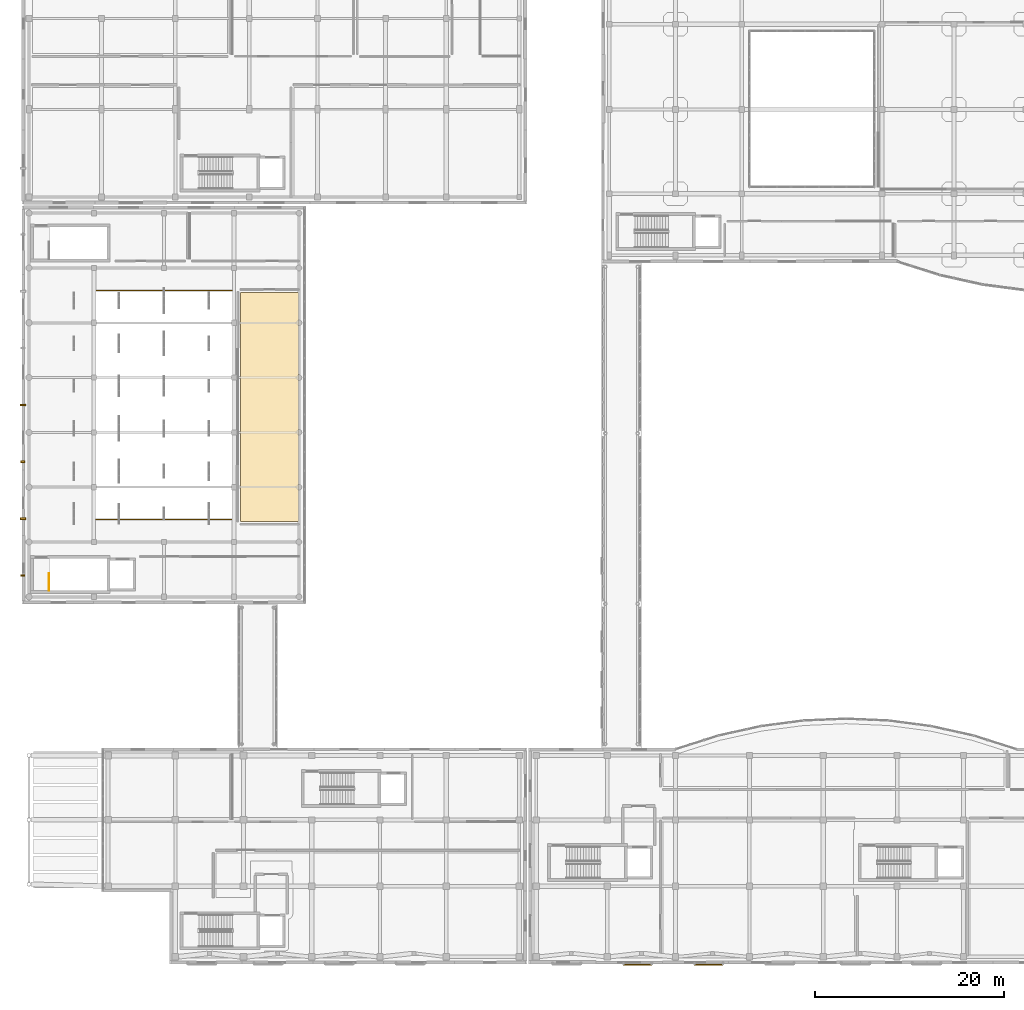
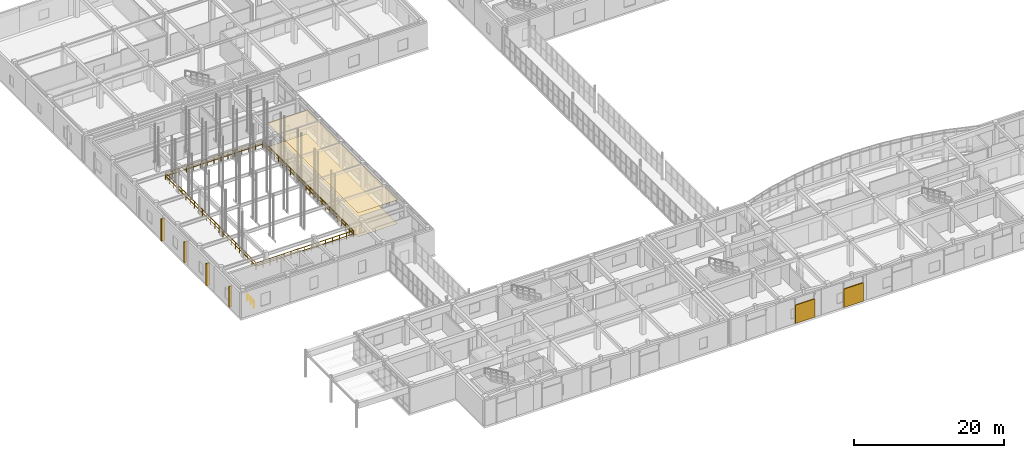
# One storey, part 135 of 142: 6 shading devices, 3 railings, 2 coverings.
"""IFC4 building model written with IfcOpenShell, lengths in metres."""

from ifc_helpers import new_model, si_unit, direction, frame, origin, origin_2d, place, context, subcontext, project, spatial, polyline, rectangle, circle, outline, extrude, material, layer, layer_set, type_object, element, save


model = new_model("IFC4")

# Units and contexts
model_context = context("Model", 3, precision=1e-05, world=origin(), true_north=direction((0.0, 1.0)))
body_context = subcontext(model_context, "Body", "Model", "MODEL_VIEW")
ifc_project = project(units=[si_unit("LENGTHUNIT", "METRE"), si_unit("AREAUNIT", "SQUARE_METRE"), si_unit("VOLUMEUNIT", "CUBIC_METRE"), si_unit("PLANEANGLEUNIT", "RADIAN"), si_unit("MASSUNIT", "GRAM", prefix="KILO")], contexts=[model_context])

# Site, building, storey
site_placement = place(None, origin())
site = spatial("IfcSite", under=ifc_project, at=site_placement, CompositionType="ELEMENT")
building_placement = place(site_placement, origin())
building = spatial("IfcBuilding", under=site, at=building_placement, Name="Valcora Specialist Clinic", CompositionType="ELEMENT")
storey_placement = place(building_placement, frame((0.0, 0.0, 5.10009765625)))
storey = spatial("IfcBuildingStorey", under=building, at=storey_placement, Name="L01", CompositionType="ELEMENT", Elevation=5.10009765625)

# Coverings
ifc_material_1 = material(Name="Acoustic Mineral Ceiling Tile")
ifc_layer_1 = layer(ifc_material_1, 0.02001953125)
ifc_layer_set_1 = layer_set([ifc_layer_1], Name="Acoustic Mineral Ceiling Tile")
covering_type_1 = type_object("IfcCoveringType", Name="TY-CV-CLG020", PredefinedType="CEILING", material=ifc_layer_set_1)
covering_1_placement = place(storey_placement, frame((0.0, 0.0, 3.864990234375)))
element("IfcCovering", 1, at=covering_1_placement, inside=storey, type_object=covering_type_1, Name="Acoustic ceiling tile 7", PredefinedType="CEILING", context=body_context, shape_type="SweptSolid", body=[
    extrude(outline(polyline([(23.10009765625, 70.89990234375), (29.199951171875, 70.89990234375), (29.199951171875, 46.699951171875), (23.10009765625, 46.699951171875), (23.10009765625, 70.89990234375)])), origin(), (0.0, 0.0, 1.0), 0.02001953125),
])
ifc_material_2 = material(Name="Antimicrobial Vinyl Clinical Flooring")
ifc_layer_2 = layer(ifc_material_2, 0.008056640625)
ifc_layer_set_2 = layer_set([ifc_layer_2], Name="Antimicrobial Vinyl Clinical Flooring")
covering_type_2 = type_object("IfcCoveringType", Name="TY-CV-FLR008", PredefinedType="FLOORING", material=ifc_layer_set_2)
covering_2_placement = place(storey_placement, origin())
element("IfcCovering", 2, at=covering_2_placement, inside=storey, type_object=covering_type_2, Name="Antimicrobial clinical flooring 7", PredefinedType="FLOORING", context=body_context, shape_type="SweptSolid", body=[
    extrude(outline(polyline([(23.10009765625, 70.89990234375), (29.199951171875, 70.89990234375), (29.199951171875, 46.699951171875), (23.10009765625, 46.699951171875), (23.10009765625, 70.89990234375)])), origin(), (0.0, 0.0, 1.0), 0.0078125),
])

# Railings
ifc_material_3 = material(Name="Stainless Steel AISI 316", Category="steel")
railing_type_1 = type_object("IfcRailingType", Name="TY-RL-ATR112", PredefinedType="BALUSTRADE", material=ifc_material_3)
railing_1_placement = place(storey_placement, frame((7.5, 46.89990234375, 0.0)))
element("IfcRailing", 3, at=railing_1_placement, inside=storey, type_object=railing_type_1, Name="Oncology hall mezzanine atrium balustrade SE", PredefinedType="BALUSTRADE", context=body_context, shape_type="SweptSolid", body=[
    extrude(circle(Radius=0.02392578125, at=origin_2d()), frame((0.0, 0.0, 1.09619140625), z_axis=(1.0, 0.0, 0.0), x_axis=(0.0, 1.0, 0.0)), (0.0, 0.0, 1.0), 15.0),
    extrude(circle(Radius=0.02392578125, at=origin_2d()), frame((0.0, 0.0, 0.56005859375), z_axis=(1.0, 0.0, 0.0), x_axis=(0.0, 1.0, 0.0)), (0.0, 0.0, 1.0), 15.0),
    extrude(circle(Radius=0.02392578125, at=origin_2d()), frame((15.0, 0.0, 1.09619140625), z_axis=(0.0, 1.0, 0.0), x_axis=(-1.0, 0.0, 0.0)), (0.0, 0.0, 1.0), 24.2001953125),
    extrude(circle(Radius=0.02392578125, at=origin_2d()), frame((15.0, 0.0, 0.56005859375), z_axis=(0.0, 1.0, 0.0), x_axis=(-1.0, 0.0, 0.0)), (0.0, 0.0, 1.0), 24.2001953125),
    extrude(circle(Radius=0.02099609375, at=origin_2d()), origin(), (0.0, 0.0, 1.0), 1.072021484375),
    extrude(circle(Radius=0.02099609375, at=origin_2d()), frame((1.071533203125, 0.0, 0.0)), (0.0, 0.0, 1.0), 1.072021484375),
    extrude(circle(Radius=0.02099609375, at=origin_2d()), frame((2.142822265625, 0.0, 0.0)), (0.0, 0.0, 1.0), 1.072021484375),
    extrude(circle(Radius=0.02099609375, at=origin_2d()), frame((3.21435546875, 0.0, 0.0)), (0.0, 0.0, 1.0), 1.072021484375),
    extrude(circle(Radius=0.02099609375, at=origin_2d()), frame((4.28564453125, 0.0, 0.0)), (0.0, 0.0, 1.0), 1.072021484375),
    extrude(circle(Radius=0.02099609375, at=origin_2d()), frame((5.357177734375, 0.0, 0.0)), (0.0, 0.0, 1.0), 1.072021484375),
    extrude(circle(Radius=0.02099609375, at=origin_2d()), frame((6.428466796875, 0.0, 0.0)), (0.0, 0.0, 1.0), 1.072021484375),
    extrude(circle(Radius=0.02099609375, at=origin_2d()), frame((7.5, 0.0, 0.0)), (0.0, 0.0, 1.0), 1.072021484375),
    extrude(circle(Radius=0.02099609375, at=origin_2d()), frame((8.571533203125, 0.0, 0.0)), (0.0, 0.0, 1.0), 1.072021484375),
    extrude(circle(Radius=0.02099609375, at=origin_2d()), frame((9.642822265625, 0.0, 0.0)), (0.0, 0.0, 1.0), 1.072021484375),
    extrude(circle(Radius=0.02099609375, at=origin_2d()), frame((10.71435546875, 0.0, 0.0)), (0.0, 0.0, 1.0), 1.072021484375),
    extrude(circle(Radius=0.02099609375, at=origin_2d()), frame((11.78564453125, 0.0, 0.0)), (0.0, 0.0, 1.0), 1.072021484375),
    extrude(circle(Radius=0.02099609375, at=origin_2d()), frame((12.857177734375, 0.0, 0.0)), (0.0, 0.0, 1.0), 1.072021484375),
    extrude(circle(Radius=0.02099609375, at=origin_2d()), frame((13.928466796875, 0.0, 0.0)), (0.0, 0.0, 1.0), 1.072021484375),
    extrude(circle(Radius=0.02099609375, at=origin_2d()), frame((15.0, 0.0, 0.0)), (0.0, 0.0, 1.0), 1.072021484375),
    extrude(circle(Radius=0.02099609375, at=origin_2d()), frame((15.0, 1.05224609375, 0.0)), (0.0, 0.0, 1.0), 1.072021484375),
    extrude(circle(Radius=0.02099609375, at=origin_2d()), frame((15.0, 2.104248046875, 0.0)), (0.0, 0.0, 1.0), 1.072021484375),
    extrude(circle(Radius=0.02099609375, at=origin_2d()), frame((15.0, 3.156494140625, 0.0)), (0.0, 0.0, 1.0), 1.072021484375),
    extrude(circle(Radius=0.02099609375, at=origin_2d()), frame((15.0, 4.208740234375, 0.0)), (0.0, 0.0, 1.0), 1.072021484375),
    extrude(circle(Radius=0.02099609375, at=origin_2d()), frame((15.0, 5.260986328125, 0.0)), (0.0, 0.0, 1.0), 1.072021484375),
    extrude(circle(Radius=0.02099609375, at=origin_2d()), frame((15.0, 6.31298828125, 0.0)), (0.0, 0.0, 1.0), 1.072021484375),
    extrude(circle(Radius=0.02099609375, at=origin_2d()), frame((15.0, 7.365234375, 0.0)), (0.0, 0.0, 1.0), 1.072021484375),
    extrude(circle(Radius=0.02099609375, at=origin_2d()), frame((15.0, 8.41748046875, 0.0)), (0.0, 0.0, 1.0), 1.072021484375),
    extrude(circle(Radius=0.02099609375, at=origin_2d()), frame((15.0, 9.4697265625, 0.0)), (0.0, 0.0, 1.0), 1.072021484375),
    extrude(circle(Radius=0.02099609375, at=origin_2d()), frame((15.0, 10.521728515625, 0.0)), (0.0, 0.0, 1.0), 1.072021484375),
    extrude(circle(Radius=0.02099609375, at=origin_2d()), frame((15.0, 11.573974609375, 0.0)), (0.0, 0.0, 1.0), 1.072021484375),
    extrude(circle(Radius=0.02099609375, at=origin_2d()), frame((15.0, 12.626220703125, 0.0)), (0.0, 0.0, 1.0), 1.072021484375),
    extrude(circle(Radius=0.02099609375, at=origin_2d()), frame((15.0, 13.678466796875, 0.0)), (0.0, 0.0, 1.0), 1.072021484375),
    extrude(circle(Radius=0.02099609375, at=origin_2d()), frame((15.0, 14.73046875, 0.0)), (0.0, 0.0, 1.0), 1.072021484375),
    extrude(circle(Radius=0.02099609375, at=origin_2d()), frame((15.0, 15.78271484375, 0.0)), (0.0, 0.0, 1.0), 1.072021484375),
    extrude(circle(Radius=0.02099609375, at=origin_2d()), frame((15.0, 16.8349609375, 0.0)), (0.0, 0.0, 1.0), 1.072021484375),
    extrude(circle(Radius=0.02099609375, at=origin_2d()), frame((15.0, 17.88720703125, 0.0)), (0.0, 0.0, 1.0), 1.072021484375),
    extrude(circle(Radius=0.02099609375, at=origin_2d()), frame((15.0, 18.939208984375, 0.0)), (0.0, 0.0, 1.0), 1.072021484375),
    extrude(circle(Radius=0.02099609375, at=origin_2d()), frame((15.0, 19.991455078125, 0.0)), (0.0, 0.0, 1.0), 1.072021484375),
    extrude(circle(Radius=0.02099609375, at=origin_2d()), frame((15.0, 21.043701171875, 0.0)), (0.0, 0.0, 1.0), 1.072021484375),
    extrude(circle(Radius=0.02099609375, at=origin_2d()), frame((15.0, 22.095947265625, 0.0)), (0.0, 0.0, 1.0), 1.072021484375),
    extrude(circle(Radius=0.02099609375, at=origin_2d()), frame((15.0, 23.14794921875, 0.0)), (0.0, 0.0, 1.0), 1.072021484375),
    extrude(circle(Radius=0.02099609375, at=origin_2d()), frame((15.0, 24.2001953125, 0.0)), (0.0, 0.0, 1.0), 1.072021484375),
])
railing_2_placement = place(storey_placement, frame((22.4599609375, 71.10009765625, 0.0)))
element("IfcRailing", 4, at=railing_2_placement, inside=storey, type_object=railing_type_1, Name="Oncology hall mezzanine atrium balustrade NW", PredefinedType="BALUSTRADE", context=body_context, shape_type="SweptSolid", body=[
    extrude(circle(Radius=0.02392578125, at=origin_2d()), frame((0.0, 0.0, 1.09619140625), z_axis=(-1.0, 0.0, 0.0), x_axis=(0.0, -1.0, 0.0)), (0.0, 0.0, 1.0), 14.9599609375),
    extrude(circle(Radius=0.02392578125, at=origin_2d()), frame((0.0, 0.0, 0.56005859375), z_axis=(-1.0, 0.0, 0.0), x_axis=(0.0, -1.0, 0.0)), (0.0, 0.0, 1.0), 14.9599609375),
    extrude(circle(Radius=0.02392578125, at=origin_2d()), frame((-14.9599609375, 0.0, 1.09619140625), z_axis=(0.0, -1.0, 0.0), x_axis=(1.0, 0.0, 0.0)), (0.0, 0.0, 1.0), 24.16015625),
    extrude(circle(Radius=0.02392578125, at=origin_2d()), frame((-14.9599609375, 0.0, 0.56005859375), z_axis=(0.0, -1.0, 0.0), x_axis=(1.0, 0.0, 0.0)), (0.0, 0.0, 1.0), 24.16015625),
    extrude(circle(Radius=0.02099609375, at=origin_2d()), origin(), (0.0, 0.0, 1.0), 1.072021484375),
    extrude(circle(Radius=0.02099609375, at=origin_2d()), frame((-1.068603515625, 0.0, 0.0)), (0.0, 0.0, 1.0), 1.072021484375),
    extrude(circle(Radius=0.02099609375, at=origin_2d()), frame((-2.13720703125, 0.0, 0.0)), (0.0, 0.0, 1.0), 1.072021484375),
    extrude(circle(Radius=0.02099609375, at=origin_2d()), frame((-3.205810546875, 0.0, 0.0)), (0.0, 0.0, 1.0), 1.072021484375),
    extrude(circle(Radius=0.02099609375, at=origin_2d()), frame((-4.274169921875, 0.0, 0.0)), (0.0, 0.0, 1.0), 1.072021484375),
    extrude(circle(Radius=0.02099609375, at=origin_2d()), frame((-5.3427734375, 0.0, 0.0)), (0.0, 0.0, 1.0), 1.072021484375),
    extrude(circle(Radius=0.02099609375, at=origin_2d()), frame((-6.411376953125, 0.0, 0.0)), (0.0, 0.0, 1.0), 1.072021484375),
    extrude(circle(Radius=0.02099609375, at=origin_2d()), frame((-7.47998046875, 0.0, 0.0)), (0.0, 0.0, 1.0), 1.072021484375),
    extrude(circle(Radius=0.02099609375, at=origin_2d()), frame((-8.548583984375, 0.0, 0.0)), (0.0, 0.0, 1.0), 1.072021484375),
    extrude(circle(Radius=0.02099609375, at=origin_2d()), frame((-9.6171875, 0.0, 0.0)), (0.0, 0.0, 1.0), 1.072021484375),
    extrude(circle(Radius=0.02099609375, at=origin_2d()), frame((-10.685791015625, 0.0, 0.0)), (0.0, 0.0, 1.0), 1.072021484375),
    extrude(circle(Radius=0.02099609375, at=origin_2d()), frame((-11.754150390625, 0.0, 0.0)), (0.0, 0.0, 1.0), 1.072021484375),
    extrude(circle(Radius=0.02099609375, at=origin_2d()), frame((-12.82275390625, 0.0, 0.0)), (0.0, 0.0, 1.0), 1.072021484375),
    extrude(circle(Radius=0.02099609375, at=origin_2d()), frame((-13.891357421875, 0.0, 0.0)), (0.0, 0.0, 1.0), 1.072021484375),
    extrude(circle(Radius=0.02099609375, at=origin_2d()), frame((-14.9599609375, 0.0, 0.0)), (0.0, 0.0, 1.0), 1.072021484375),
    extrude(circle(Radius=0.02099609375, at=origin_2d()), frame((-14.9599609375, -1.09814453125, 0.0)), (0.0, 0.0, 1.0), 1.072021484375),
    extrude(circle(Radius=0.02099609375, at=origin_2d()), frame((-14.9599609375, -2.1962890625, 0.0)), (0.0, 0.0, 1.0), 1.072021484375),
    extrude(circle(Radius=0.02099609375, at=origin_2d()), frame((-14.9599609375, -3.294677734375, 0.0)), (0.0, 0.0, 1.0), 1.072021484375),
    extrude(circle(Radius=0.02099609375, at=origin_2d()), frame((-14.9599609375, -4.392822265625, 0.0)), (0.0, 0.0, 1.0), 1.072021484375),
    extrude(circle(Radius=0.02099609375, at=origin_2d()), frame((-14.9599609375, -5.490966796875, 0.0)), (0.0, 0.0, 1.0), 1.072021484375),
    extrude(circle(Radius=0.02099609375, at=origin_2d()), frame((-14.9599609375, -6.589111328125, 0.0)), (0.0, 0.0, 1.0), 1.072021484375),
    extrude(circle(Radius=0.02099609375, at=origin_2d()), frame((-14.9599609375, -7.687255859375, 0.0)), (0.0, 0.0, 1.0), 1.072021484375),
    extrude(circle(Radius=0.02099609375, at=origin_2d()), frame((-14.9599609375, -8.785400390625, 0.0)), (0.0, 0.0, 1.0), 1.072021484375),
    extrude(circle(Radius=0.02099609375, at=origin_2d()), frame((-14.9599609375, -9.8837890625, 0.0)), (0.0, 0.0, 1.0), 1.072021484375),
    extrude(circle(Radius=0.02099609375, at=origin_2d()), frame((-14.9599609375, -10.98193359375, 0.0)), (0.0, 0.0, 1.0), 1.072021484375),
    extrude(circle(Radius=0.02099609375, at=origin_2d()), frame((-14.9599609375, -12.080078125, 0.0)), (0.0, 0.0, 1.0), 1.072021484375),
    extrude(circle(Radius=0.02099609375, at=origin_2d()), frame((-14.9599609375, -13.17822265625, 0.0)), (0.0, 0.0, 1.0), 1.072021484375),
    extrude(circle(Radius=0.02099609375, at=origin_2d()), frame((-14.9599609375, -14.2763671875, 0.0)), (0.0, 0.0, 1.0), 1.072021484375),
    extrude(circle(Radius=0.02099609375, at=origin_2d()), frame((-14.9599609375, -15.374755859375, 0.0)), (0.0, 0.0, 1.0), 1.072021484375),
    extrude(circle(Radius=0.02099609375, at=origin_2d()), frame((-14.9599609375, -16.472900390625, 0.0)), (0.0, 0.0, 1.0), 1.072021484375),
    extrude(circle(Radius=0.02099609375, at=origin_2d()), frame((-14.9599609375, -17.571044921875, 0.0)), (0.0, 0.0, 1.0), 1.072021484375),
    extrude(circle(Radius=0.02099609375, at=origin_2d()), frame((-14.9599609375, -18.669189453125, 0.0)), (0.0, 0.0, 1.0), 1.072021484375),
    extrude(circle(Radius=0.02099609375, at=origin_2d()), frame((-14.9599609375, -19.767333984375, 0.0)), (0.0, 0.0, 1.0), 1.072021484375),
    extrude(circle(Radius=0.02099609375, at=origin_2d()), frame((-14.9599609375, -20.865478515625, 0.0)), (0.0, 0.0, 1.0), 1.072021484375),
    extrude(circle(Radius=0.02099609375, at=origin_2d()), frame((-14.9599609375, -21.9638671875, 0.0)), (0.0, 0.0, 1.0), 1.072021484375),
    extrude(circle(Radius=0.02099609375, at=origin_2d()), frame((-14.9599609375, -23.06201171875, 0.0)), (0.0, 0.0, 1.0), 1.072021484375),
    extrude(circle(Radius=0.02099609375, at=origin_2d()), frame((-14.9599609375, -24.16015625, 0.0)), (0.0, 0.0, 1.0), 1.072021484375),
])
railing_type_2 = type_object("IfcRailingType", Name="TY-RL-GRD112", PredefinedType="GUARDRAIL", material=ifc_material_3)
railing_3_placement = place(storey_placement, frame((2.85009765625, 39.39990234375, 0.0)))
element("IfcRailing", 5, at=railing_3_placement, inside=storey, type_object=railing_type_2, Name="L01 ST-V1A top well guard 1", PredefinedType="GUARDRAIL", context=body_context, shape_type="SweptSolid", body=[
    extrude(circle(Radius=0.02392578125, at=origin_2d()), frame((0.0, 0.0, 1.09619140625), z_axis=(0.0, 1.0, 0.0), x_axis=(-1.0, 0.0, 0.0)), (0.0, 0.0, 1.0), 1.800048828125),
    extrude(circle(Radius=0.02392578125, at=origin_2d()), frame((0.0, 0.0, 0.56005859375), z_axis=(0.0, 1.0, 0.0), x_axis=(-1.0, 0.0, 0.0)), (0.0, 0.0, 1.0), 1.800048828125),
    extrude(circle(Radius=0.02099609375, at=origin_2d()), origin(), (0.0, 0.0, 1.0), 1.072021484375),
    extrude(circle(Radius=0.02099609375, at=origin_2d()), frame((0.0, 0.89990234375, 0.0)), (0.0, 0.0, 1.0), 1.072021484375),
    extrude(circle(Radius=0.02099609375, at=origin_2d()), frame((0.0, 1.800048828125, 0.0)), (0.0, 0.0, 1.0), 1.072021484375),
])

# Shading devices
ifc_material_4 = material(Name="Extruded Jalisco Clay Brick Masonry", Category="masonry")
ifc_layer_3 = layer(ifc_material_4, 0.449951171875)
ifc_layer_set_3 = layer_set([ifc_layer_3], Name="Extruded Jalisco Clay Brick Masonry")
shading_device_type_1 = type_object("IfcShadingDeviceType", Name="TY-SD-FIN045", PredefinedType="USERDEFINED", material=ifc_layer_set_3)
for number, where, z_axis, x_axis, name in (
    (6, (0.10009765625, 41.0, 0.099853515625), (0.0, 0.0, 1.0), (1.0, 0.0, 0.0), "Vertical brick solar fin 31"),
    (7, (0.10009765625, 53.0, 0.099853515625), (0.0, 0.0, 1.0), (1.0, 0.0, 0.0), "Vertical brick solar fin 33"),
):
    element("IfcShadingDevice", number, at=place(storey_placement, frame(where, z_axis=z_axis, x_axis=x_axis)), inside=storey, type_object=shading_device_type_1, Name=name, ObjectType="VERTICAL BRICK FIN", PredefinedType="USERDEFINED", context=body_context, shape_type="SweptSolid", body=[
        extrude(rectangle(XDim=0.449951171875, YDim=0.179931640625, at=origin_2d()), origin(), (0.0, 0.0, 1.0), 3.39990234375),
    ])
ifc_layer_4 = layer(ifc_material_4, 0.60009765625)
ifc_layer_set_4 = layer_set([ifc_layer_4], Name="Extruded Jalisco Clay Brick Masonry")
shading_device_type_2 = type_object("IfcShadingDeviceType", Name="TY-SD-FIN060", PredefinedType="USERDEFINED", material=ifc_layer_set_4)
for number, where, z_axis, x_axis, name in (
    (8, (0.10009765625, 47.0, -0.000244140625), (0.0, 0.0, 1.0), (1.0, 0.0, 0.0), "Vertical brick solar fin 32"),
    (9, (0.10009765625, 59.0, -0.000244140625), (0.0, 0.0, 1.0), (1.0, 0.0, 0.0), "Vertical brick solar fin 34"),
):
    element("IfcShadingDevice", number, at=place(storey_placement, frame(where, z_axis=z_axis, x_axis=x_axis)), inside=storey, type_object=shading_device_type_2, Name=name, ObjectType="VERTICAL BRICK FIN", PredefinedType="USERDEFINED", context=body_context, shape_type="SweptSolid", body=[
        extrude(rectangle(XDim=0.60009765625, YDim=0.199951171875, at=origin_2d()), origin(), (0.0, 0.0, 1.0), 3.60009765625),
    ])
ifc_material_5 = material(Name="Perforated Jalisco Clay Brick Masonry", Category="masonry")
ifc_layer_5 = layer(ifc_material_5, 0.139892578125)
ifc_layer_set_5 = layer_set([ifc_layer_5], Name="Perforated Jalisco Clay Brick Masonry")
shading_device_type_3 = type_object("IfcShadingDeviceType", Name="TY-SD-SCR300", PredefinedType="USERDEFINED", material=ifc_layer_set_5)
for number, where, z_axis, x_axis, name in (
    (10, (65.0, -0.10009765625, 0.119873046875), (0.0, 0.0, 1.0), (1.0, 0.0, 0.0), "Perforated Jalisco brick screen 6"),
    (11, (72.5, -0.10009765625, 0.119873046875), (0.0, 0.0, 1.0), (1.0, 0.0, 0.0), "Perforated Jalisco brick screen 7"),
):
    element("IfcShadingDevice", number, at=place(storey_placement, frame(where, z_axis=z_axis, x_axis=x_axis)), inside=storey, type_object=shading_device_type_3, Name=name, ObjectType="PERFORATED BRICK SCREEN", PredefinedType="USERDEFINED", context=body_context, shape_type="SweptSolid", body=[
        extrude(rectangle(XDim=3.0, YDim=0.139892578125, at=origin_2d()), origin(), (0.0, 0.0, 1.0), 3.0),
    ])

save(model, "model.ifc")
